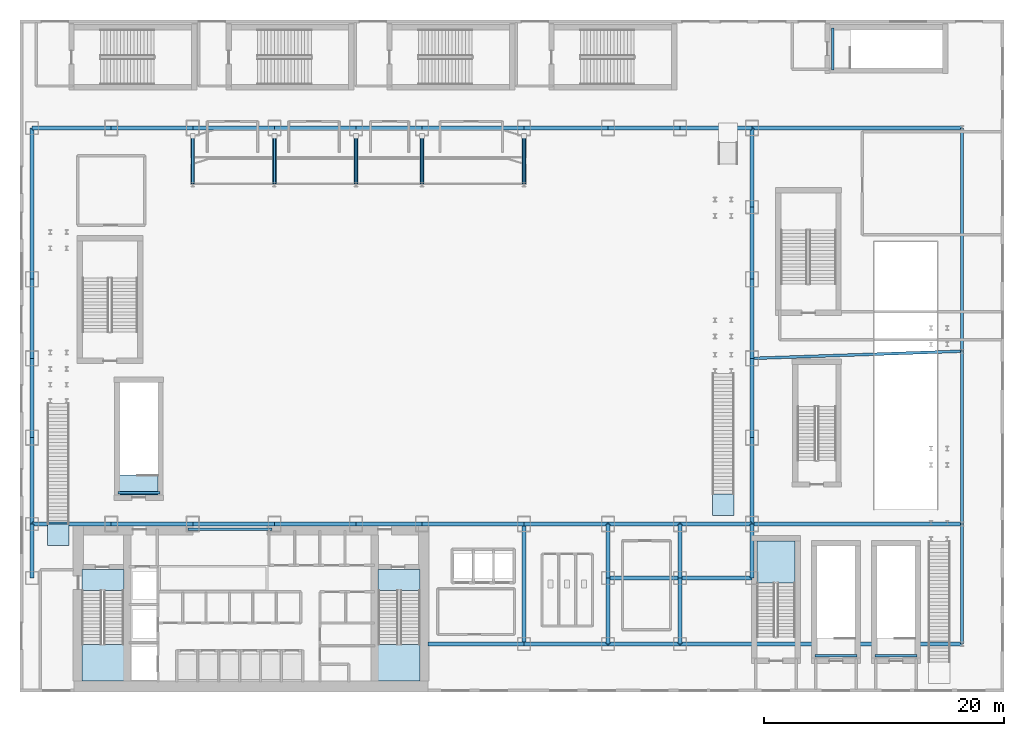
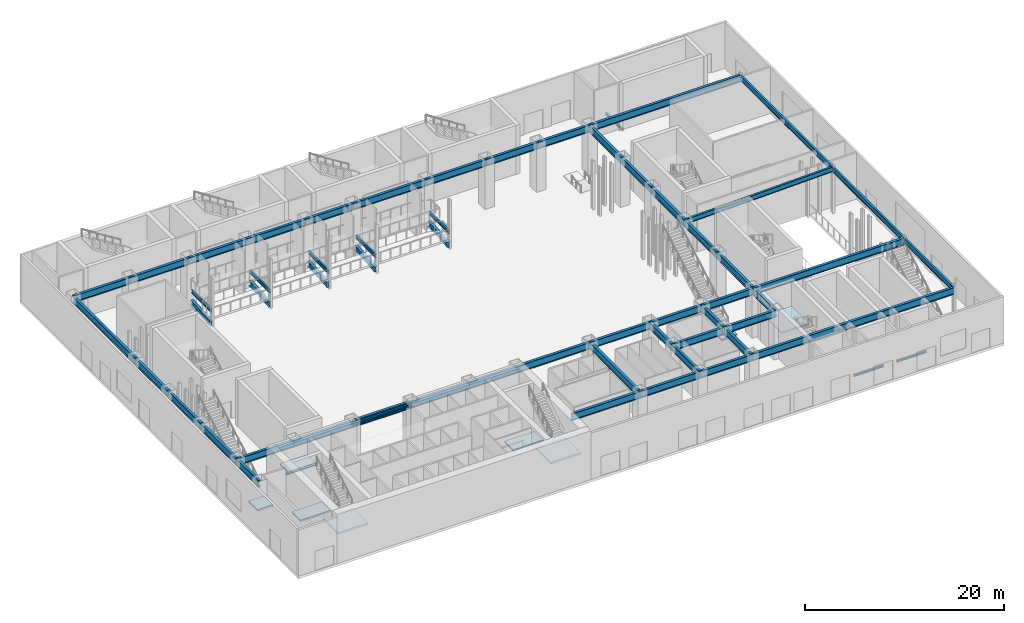
# One storey, part 7 of 25: 61 beams, 8 slabs, 5 elements without a shape of their own.
"""IFC4 building model written with IfcOpenShell, lengths in metres."""

from ifc_helpers import new_model, si_unit, derived_unit, direction, frame, origin, origin_2d, place, context, subcontext, project, spatial, polyline, i_section, outline, extrude, source, transform, mapped, material, layer, layer_set, material_profile, profile_set, type_object, element, aggregate, save


model = new_model("IFC4")

# Units and contexts
model_context = context("Model", 3, precision=1e-05, world=origin(), true_north=direction((0.0, 1.0)))
body_context = subcontext(model_context, "Body", "Model", "MODEL_VIEW")
ifc_project = project(units=[si_unit("LENGTHUNIT", "METRE"), si_unit("AREAUNIT", "SQUARE_METRE"), si_unit("VOLUMEUNIT", "CUBIC_METRE"), si_unit("PLANEANGLEUNIT", "RADIAN"), si_unit("MASSUNIT", "GRAM", prefix="KILO"), derived_unit("THERMALTRANSMITTANCEUNIT", [(si_unit("POWERUNIT", "WATT"), 1), (si_unit("LENGTHUNIT", "METRE"), -2), (si_unit("THERMODYNAMICTEMPERATUREUNIT", "KELVIN"), -1)])], contexts=[model_context])

# Site, building, storey
site_placement = place(None, origin())
site = spatial("IfcSite", under=ifc_project, at=site_placement, CompositionType="ELEMENT")
building_placement = place(site_placement, origin())
building = spatial("IfcBuilding", under=site, at=building_placement, Name="Skarnbrae Concourse Arena and Tower", CompositionType="ELEMENT")
storey_placement = place(building_placement, origin())
storey = spatial("IfcBuildingStorey", under=building, at=storey_placement, Name="L00", CompositionType="ELEMENT", Elevation=0.0)

# Beams
ifc_material_1 = material(Name="Steel CSA G40.21 350W", Category="steel")
ifc_material_profile_1 = material_profile(ifc_material_1, i_section(OverallWidth=0.202880859375, OverallDepth=0.251953125, WebThickness=0.008056640625, FlangeThickness=0.013427734375, at=origin_2d()), Name="W250X58")
ifc_profile_set_1 = profile_set([ifc_material_profile_1], Name="Steel CSA G40.21 350W")
beam_type_1 = type_object("IfcBeamType", Name="BM-LINTEL-W250X58", PredefinedType="LINTEL", material=ifc_profile_set_1)
shared_shape_1 = source(origin(), body_context, "Body", "SweptSolid", [
    extrude(i_section(OverallWidth=0.202880859375, OverallDepth=0.251953125, WebThickness=0.008056640625, FlangeThickness=0.013427734375, at=origin_2d()), origin(), (0.0, 0.0, 1.0), 7.0),
])
beam_1_placement = place(storey_placement, frame((14.0, 13.550048828125, 5.573974609375), z_axis=(1.0, 0.0, 0.0), x_axis=(0.0, 1.0, 0.0)))
element("IfcBeam", 1, at=beam_1_placement, inside=storey, type_object=beam_type_1, Name="L00 Core portal coupling lintel", PredefinedType="LINTEL", context=body_context, shape_type="MappedRepresentation", body=[
    mapped(shared_shape_1, transform((0.0, 0.0, 0.0))),
])
ifc_material_profile_2 = material_profile(ifc_material_1, i_section(OverallWidth=0.2939453125, OverallDepth=0.85107421875, WebThickness=0.01611328125, FlangeThickness=0.02685546875, at=origin_2d()), Name="W840X226")
ifc_profile_set_2 = profile_set([ifc_material_profile_2], Name="Steel CSA G40.21 350W")
beam_type_2 = type_object("IfcBeamType", Name="BM-GIRD-W840X226", PredefinedType="BEAM", material=ifc_profile_set_2)
shared_shape_2 = source(origin(), body_context, "Body", "SweptSolid", [
    extrude(i_section(OverallWidth=0.2939453125, OverallDepth=0.85107421875, WebThickness=0.01611328125, FlangeThickness=0.02685546875, at=origin_2d()), origin(), (0.0, 0.0, 1.0), 6.60009765625),
])
for number, where, z_axis, x_axis, name in (
    (2, (1.0, 47.0, 5.2744140625), (1.0, 0.0, 0.0), (0.0, 1.0, 0.0), "L00 Podium north girder 1"),
    (3, (1.0, 14.0, 5.2744140625), (1.0, 0.0, 0.0), (0.0, 1.0, 0.0), "L00 Podium south spine girder 1"),
    (4, (1.0, 21.199951171875, 5.2744140625), (0.0, 1.0, 0.0), (-1.0, 0.0, 0.0), "L00 Podium west girder 3"),
    (5, (61.0, 21.199951171875, 5.2744140625), (0.0, 1.0, 0.0), (-1.0, 0.0, 0.0), "L00 Podium east girder 3"),
    (6, (61.0, 40.39990234375, 5.2744140625), (0.0, 1.0, 0.0), (-1.0, 0.0, 0.0), "L00 Podium east girder 6"),
):
    element("IfcBeam", number, at=place(storey_placement, frame(where, z_axis=z_axis, x_axis=x_axis)), inside=storey, type_object=beam_type_2, Name=name, PredefinedType="BEAM", context=body_context, shape_type="MappedRepresentation", body=[
        mapped(shared_shape_2, transform((0.0, 0.0, 0.0))),
    ])
shared_shape_3 = source(origin(), body_context, "Body", "SweptSolid", [
    extrude(i_section(OverallWidth=0.2939453125, OverallDepth=0.85107421875, WebThickness=0.01611328125, FlangeThickness=0.02685546875, at=origin_2d()), origin(), (0.0, 0.0, 1.0), 6.7998046875),
])
for number, where, z_axis, x_axis, name in (
    (7, (7.60009765625, 47.0, 5.2744140625), (1.0, 0.0, 0.0), (0.0, 1.0, 0.0), "L00 Podium north girder 2"),
    (8, (7.60009765625, 14.0, 5.2744140625), (1.0, 0.0, 0.0), (0.0, 1.0, 0.0), "L00 Podium south spine girder 2"),
):
    element("IfcBeam", number, at=place(storey_placement, frame(where, z_axis=z_axis, x_axis=x_axis)), inside=storey, type_object=beam_type_2, Name=name, PredefinedType="BEAM", context=body_context, shape_type="MappedRepresentation", body=[
        mapped(shared_shape_3, transform((0.0, 0.0, 0.0))),
    ])
shared_shape_4 = source(origin(), body_context, "Body", "SweptSolid", [
    extrude(i_section(OverallWidth=0.2939453125, OverallDepth=0.85107421875, WebThickness=0.01611328125, FlangeThickness=0.02685546875, at=origin_2d()), origin(), (0.0, 0.0, 1.0), 6.800048828125),
])
for number, where, z_axis, x_axis, name in (
    (9, (14.39990234375, 47.0, 5.2744140625), (1.0, 0.0, 0.0), (0.0, 1.0, 0.0), "L00 Podium north girder 3"),
    (10, (21.199951171875, 47.0, 5.2744140625), (1.0, 0.0, 0.0), (0.0, 1.0, 0.0), "L00 Podium north girder 4"),
    (11, (14.39990234375, 14.0, 5.2744140625), (1.0, 0.0, 0.0), (0.0, 1.0, 0.0), "L00 Podium south spine girder 3"),
    (12, (21.199951171875, 14.0, 5.2744140625), (1.0, 0.0, 0.0), (0.0, 1.0, 0.0), "L00 Podium south spine girder 4"),
):
    element("IfcBeam", number, at=place(storey_placement, frame(where, z_axis=z_axis, x_axis=x_axis)), inside=storey, type_object=beam_type_2, Name=name, PredefinedType="BEAM", context=body_context, shape_type="MappedRepresentation", body=[
        mapped(shared_shape_4, transform((0.0, 0.0, 0.0))),
    ])
shared_shape_5 = source(origin(), body_context, "Body", "SweptSolid", [
    extrude(i_section(OverallWidth=0.2939453125, OverallDepth=0.85107421875, WebThickness=0.01611328125, FlangeThickness=0.02685546875, at=origin_2d()), origin(), (0.0, 0.0, 1.0), 5.5),
])
for number, where, z_axis, x_axis, name in (
    (13, (28.0, 47.0, 5.2744140625), (1.0, 0.0, 0.0), (0.0, 1.0, 0.0), "L00 Podium north girder 5"),
    (14, (28.0, 14.0, 5.2744140625), (1.0, 0.0, 0.0), (0.0, 1.0, 0.0), "L00 Podium south spine girder 5"),
    (15, (49.0, 4.0, 5.2744140625), (0.0, 1.0, 0.0), (-1.0, 0.0, 0.0), "L00 SE south tie 49"),
    (16, (55.0, 4.0, 5.2744140625), (0.0, 1.0, 0.0), (-1.0, 0.0, 0.0), "L00 SE south tie 55"),
):
    element("IfcBeam", number, at=place(storey_placement, frame(where, z_axis=z_axis, x_axis=x_axis)), inside=storey, type_object=beam_type_2, Name=name, PredefinedType="BEAM", context=body_context, shape_type="MappedRepresentation", body=[
        mapped(shared_shape_5, transform((0.0, 0.0, 0.0))),
    ])
shared_shape_6 = source(origin(), body_context, "Body", "SweptSolid", [
    extrude(i_section(OverallWidth=0.2939453125, OverallDepth=0.85107421875, WebThickness=0.01611328125, FlangeThickness=0.02685546875, at=origin_2d()), origin(), (0.0, 0.0, 1.0), 8.5),
])
for number, where, z_axis, x_axis, name in (
    (17, (33.5, 47.0, 5.2744140625), (1.0, 0.0, 0.0), (0.0, 1.0, 0.0), "L00 Podium north girder 6"),
    (18, (33.5, 14.0, 5.2744140625), (1.0, 0.0, 0.0), (0.0, 1.0, 0.0), "L00 Podium south spine girder 6"),
):
    element("IfcBeam", number, at=place(storey_placement, frame(where, z_axis=z_axis, x_axis=x_axis)), inside=storey, type_object=beam_type_2, Name=name, PredefinedType="BEAM", context=body_context, shape_type="MappedRepresentation", body=[
        mapped(shared_shape_6, transform((0.0, 0.0, 0.0))),
    ])
shared_shape_7 = source(origin(), body_context, "Body", "SweptSolid", [
    extrude(i_section(OverallWidth=0.2939453125, OverallDepth=0.85107421875, WebThickness=0.01611328125, FlangeThickness=0.02685546875, at=origin_2d()), origin(), (0.0, 0.0, 1.0), 7.0),
])
for number, where, z_axis, x_axis, name in (
    (19, (42.0, 47.0, 5.2744140625), (1.0, 0.0, 0.0), (0.0, 1.0, 0.0), "L00 Podium north girder 7"),
    (20, (42.0, 14.0, 5.2744140625), (1.0, 0.0, 0.0), (0.0, 1.0, 0.0), "L00 Podium south spine girder 7"),
    (21, (42.0, 4.0, 5.2744140625), (1.0, 0.0, 0.0), (0.0, 1.0, 0.0), "L00 South-east girder 2"),
):
    element("IfcBeam", number, at=place(storey_placement, frame(where, z_axis=z_axis, x_axis=x_axis)), inside=storey, type_object=beam_type_2, Name=name, PredefinedType="BEAM", context=body_context, shape_type="MappedRepresentation", body=[
        mapped(shared_shape_7, transform((0.0, 0.0, 0.0))),
    ])
shared_shape_8 = source(origin(), body_context, "Body", "SweptSolid", [
    extrude(i_section(OverallWidth=0.2939453125, OverallDepth=0.85107421875, WebThickness=0.01611328125, FlangeThickness=0.02685546875, at=origin_2d()), origin(), (0.0, 0.0, 1.0), 6.0),
])
for number, where, z_axis, x_axis, name in (
    (22, (49.0, 47.0, 5.2744140625), (1.0, 0.0, 0.0), (0.0, 1.0, 0.0), "L00 Podium north girder 8"),
    (23, (55.0, 47.0, 5.2744140625), (1.0, 0.0, 0.0), (0.0, 1.0, 0.0), "L00 Podium north girder 9"),
    (24, (49.0, 14.0, 5.2744140625), (1.0, 0.0, 0.0), (0.0, 1.0, 0.0), "L00 Podium south spine girder 8"),
    (25, (55.0, 14.0, 5.2744140625), (1.0, 0.0, 0.0), (0.0, 1.0, 0.0), "L00 Podium south spine girder 9"),
    (26, (61.0, 34.39990234375, 5.2744140625), (0.0, 1.0, 0.0), (-1.0, 0.0, 0.0), "L00 Podium east girder 5"),
    (27, (49.0, 9.5, 5.2744140625), (1.0, 0.0, 0.0), (0.0, 1.0, 0.0), "L00 SE elbow girder 1"),
    (28, (55.0, 9.5, 5.2744140625), (1.0, 0.0, 0.0), (0.0, 1.0, 0.0), "L00 SE elbow girder 2"),
    (29, (49.0, 4.0, 5.2744140625), (1.0, 0.0, 0.0), (0.0, 1.0, 0.0), "L00 South-east girder 3"),
):
    element("IfcBeam", number, at=place(storey_placement, frame(where, z_axis=z_axis, x_axis=x_axis)), inside=storey, type_object=beam_type_2, Name=name, PredefinedType="BEAM", context=body_context, shape_type="MappedRepresentation", body=[
        mapped(shared_shape_8, transform((0.0, 0.0, 0.0))),
    ])
shared_shape_9 = source(origin(), body_context, "Body", "SweptSolid", [
    extrude(i_section(OverallWidth=0.2939453125, OverallDepth=0.85107421875, WebThickness=0.01611328125, FlangeThickness=0.02685546875, at=origin_2d()), origin(), (0.0, 0.0, 1.0), 17.5),
])
for number, where, z_axis, x_axis, name in (
    (30, (61.0, 47.0, 5.2744140625), (1.0, 0.0, 0.0), (0.0, 1.0, 0.0), "L00 Podium north girder 10"),
    (31, (61.0, 14.0, 5.2744140625), (1.0, 0.0, 0.0), (0.0, 1.0, 0.0), "L00 Podium south spine girder 10"),
):
    element("IfcBeam", number, at=place(storey_placement, frame(where, z_axis=z_axis, x_axis=x_axis)), inside=storey, type_object=beam_type_2, Name=name, PredefinedType="BEAM", context=body_context, shape_type="MappedRepresentation", body=[
        mapped(shared_shape_9, transform((0.0, 0.0, 0.0))),
    ])
shared_shape_10 = source(origin(), body_context, "Body", "SweptSolid", [
    extrude(i_section(OverallWidth=0.2939453125, OverallDepth=0.85107421875, WebThickness=0.01611328125, FlangeThickness=0.02685546875, at=origin_2d()), origin(), (0.0, 0.0, 1.0), 4.5),
])
for number, where, z_axis, x_axis, name in (
    (32, (1.0, 9.5, 5.2744140625), (0.0, 1.0, 0.0), (-1.0, 0.0, 0.0), "L00 Podium west girder 1"),
    (33, (61.0, 9.5, 5.2744140625), (0.0, 1.0, 0.0), (-1.0, 0.0, 0.0), "L00 Podium east girder 1"),
    (34, (49.0, 9.5, 5.2744140625), (0.0, 1.0, 0.0), (-1.0, 0.0, 0.0), "L00 SE north tie 49"),
    (35, (55.0, 9.5, 5.2744140625), (0.0, 1.0, 0.0), (-1.0, 0.0, 0.0), "L00 SE north tie 55"),
):
    element("IfcBeam", number, at=place(storey_placement, frame(where, z_axis=z_axis, x_axis=x_axis)), inside=storey, type_object=beam_type_2, Name=name, PredefinedType="BEAM", context=body_context, shape_type="MappedRepresentation", body=[
        mapped(shared_shape_10, transform((0.0, 0.0, 0.0))),
    ])
shared_shape_11 = source(origin(), body_context, "Body", "SweptSolid", [
    extrude(i_section(OverallWidth=0.2939453125, OverallDepth=0.85107421875, WebThickness=0.01611328125, FlangeThickness=0.02685546875, at=origin_2d()), origin(), (0.0, 0.0, 1.0), 7.199951171875),
])
for number, where, z_axis, x_axis, name in (
    (36, (1.0, 14.0, 5.2744140625), (0.0, 1.0, 0.0), (-1.0, 0.0, 0.0), "L00 Podium west girder 2"),
    (37, (61.0, 14.0, 5.2744140625), (0.0, 1.0, 0.0), (-1.0, 0.0, 0.0), "L00 Podium east girder 2"),
):
    element("IfcBeam", number, at=place(storey_placement, frame(where, z_axis=z_axis, x_axis=x_axis)), inside=storey, type_object=beam_type_2, Name=name, PredefinedType="BEAM", context=body_context, shape_type="MappedRepresentation", body=[
        mapped(shared_shape_11, transform((0.0, 0.0, 0.0))),
    ])
shared_shape_12 = source(origin(), body_context, "Body", "SweptSolid", [
    extrude(i_section(OverallWidth=0.2939453125, OverallDepth=0.85107421875, WebThickness=0.01611328125, FlangeThickness=0.02685546875, at=origin_2d()), origin(), (0.0, 0.0, 1.0), 6.599853515625),
])
for number, where, z_axis, x_axis, name in (
    (38, (1.0, 27.800048828125, 5.2744140625), (0.0, 1.0, 0.0), (-1.0, 0.0, 0.0), "L00 Podium west girder 4"),
    (39, (61.0, 27.800048828125, 5.2744140625), (0.0, 1.0, 0.0), (-1.0, 0.0, 0.0), "L00 Podium east girder 4"),
):
    element("IfcBeam", number, at=place(storey_placement, frame(where, z_axis=z_axis, x_axis=x_axis)), inside=storey, type_object=beam_type_2, Name=name, PredefinedType="BEAM", context=body_context, shape_type="MappedRepresentation", body=[
        mapped(shared_shape_12, transform((0.0, 0.0, 0.0))),
    ])
shared_shape_13 = source(origin(), body_context, "Body", "SweptSolid", [
    extrude(i_section(OverallWidth=0.2939453125, OverallDepth=0.85107421875, WebThickness=0.01611328125, FlangeThickness=0.02685546875, at=origin_2d()), origin(), (0.0, 0.0, 1.0), 12.60009765625),
])
beam_2_placement = place(storey_placement, frame((1.0, 34.39990234375, 5.2744140625), z_axis=(0.0, 1.0, 0.0), x_axis=(-1.0, 0.0, 0.0)))
element("IfcBeam", 40, at=beam_2_placement, inside=storey, type_object=beam_type_2, Name="L00 Podium west girder 5", PredefinedType="BEAM", context=body_context, shape_type="MappedRepresentation", body=[
    mapped(shared_shape_13, transform((0.0, 0.0, 0.0))),
])
ifc_material_profile_3 = material_profile(ifc_material_1, i_section(OverallWidth=0.22802734375, OverallDepth=0.60791015625, WebThickness=0.01123046875, FlangeThickness=0.017333984375, at=origin_2d()), Name="W610X113")
ifc_profile_set_3 = profile_set([ifc_material_profile_3], Name="Steel CSA G40.21 350W")
beam_type_3 = type_object("IfcBeamType", Name="BM-GIRD-W610X113", PredefinedType="BEAM", material=ifc_profile_set_3)
shared_shape_14 = source(origin(), body_context, "Body", "SweptSolid", [
    extrude(i_section(OverallWidth=0.22802734375, OverallDepth=0.60791015625, WebThickness=0.01123046875, FlangeThickness=0.017333984375, at=origin_2d()), origin(), (0.0, 0.0, 1.0), 10.0),
])
beam_3_placement = place(storey_placement, frame((78.5, 4.0, 5.39599609375), z_axis=(0.0, 1.0, 0.0), x_axis=(-1.0, 0.0, 0.0)))
element("IfcBeam", 41, at=beam_3_placement, inside=storey, type_object=beam_type_3, Name="L00 Podium outer east girder 1", PredefinedType="BEAM", context=body_context, shape_type="MappedRepresentation", body=[
    mapped(shared_shape_14, transform((0.0, 0.0, 0.0))),
])
shared_shape_15 = source(origin(), body_context, "Body", "SweptSolid", [
    extrude(i_section(OverallWidth=0.22802734375, OverallDepth=0.60791015625, WebThickness=0.01123046875, FlangeThickness=0.017333984375, at=origin_2d()), origin(), (0.0, 0.0, 1.0), 14.39990234375),
])
beam_4_placement = place(storey_placement, frame((78.5, 14.0, 5.39599609375), z_axis=(0.0, 1.0, 0.0), x_axis=(-1.0, 0.0, 0.0)))
element("IfcBeam", 42, at=beam_4_placement, inside=storey, type_object=beam_type_3, Name="L00 Podium outer east girder 2", PredefinedType="BEAM", context=body_context, shape_type="MappedRepresentation", body=[
    mapped(shared_shape_15, transform((0.0, 0.0, 0.0))),
])
shared_shape_16 = source(origin(), body_context, "Body", "SweptSolid", [
    extrude(i_section(OverallWidth=0.22802734375, OverallDepth=0.60791015625, WebThickness=0.01123046875, FlangeThickness=0.017333984375, at=origin_2d()), origin(), (0.0, 0.0, 1.0), 18.60009765625),
])
beam_5_placement = place(storey_placement, frame((78.5, 28.39990234375, 5.39599609375), z_axis=(0.0, 1.0, 0.0), x_axis=(-1.0, 0.0, 0.0)))
element("IfcBeam", 43, at=beam_5_placement, inside=storey, type_object=beam_type_3, Name="L00 Podium outer east girder 3", PredefinedType="BEAM", context=body_context, shape_type="MappedRepresentation", body=[
    mapped(shared_shape_16, transform((0.0, 0.0, 0.0))),
])
shared_shape_17 = source(origin(), body_context, "Body", "SweptSolid", [
    extrude(i_section(OverallWidth=0.22802734375, OverallDepth=0.60791015625, WebThickness=0.01123046875, FlangeThickness=0.017333984375, at=origin_2d()), origin(), (0.0, 0.0, 1.0), 17.51025390625),
])
beam_6_placement = place(storey_placement, frame((61.0, 27.800048828125, 5.39599609375), z_axis=(0.999413049025, 0.03425722463, 0.0), x_axis=(-0.03425722463, 0.999413049025, 0.0)))
element("IfcBeam", 44, at=beam_6_placement, inside=storey, type_object=beam_type_3, Name="L00 East concourse tie girder", PredefinedType="BEAM", context=body_context, shape_type="MappedRepresentation", body=[
    mapped(shared_shape_17, transform((0.0, 0.0, 0.0))),
])
shared_shape_18 = source(origin(), body_context, "Body", "SweptSolid", [
    extrude(i_section(OverallWidth=0.2939453125, OverallDepth=0.85107421875, WebThickness=0.01611328125, FlangeThickness=0.02685546875, at=origin_2d()), origin(), (0.0, 0.0, 1.0), 8.0),
])
beam_7_placement = place(storey_placement, frame((34.0, 4.0, 5.2744140625), z_axis=(1.0, 0.0, 0.0), x_axis=(0.0, 1.0, 0.0)))
element("IfcBeam", 45, at=beam_7_placement, inside=storey, type_object=beam_type_2, Name="L00 South-east girder 1", PredefinedType="BEAM", context=body_context, shape_type="MappedRepresentation", body=[
    mapped(shared_shape_18, transform((0.0, 0.0, 0.0))),
])
shared_shape_19 = source(origin(), body_context, "Body", "SweptSolid", [
    extrude(i_section(OverallWidth=0.2939453125, OverallDepth=0.85107421875, WebThickness=0.01611328125, FlangeThickness=0.02685546875, at=origin_2d()), origin(), (0.0, 0.0, 1.0), 23.5),
])
beam_8_placement = place(storey_placement, frame((55.0, 4.0, 5.2744140625), z_axis=(1.0, 0.0, 0.0), x_axis=(0.0, 1.0, 0.0)))
element("IfcBeam", 46, at=beam_8_placement, inside=storey, type_object=beam_type_2, Name="L00 South-east girder 4", PredefinedType="BEAM", context=body_context, shape_type="MappedRepresentation", body=[
    mapped(shared_shape_19, transform((0.0, 0.0, 0.0))),
])
shared_shape_20 = source(origin(), body_context, "Body", "SweptSolid", [
    extrude(i_section(OverallWidth=0.2939453125, OverallDepth=0.85107421875, WebThickness=0.01611328125, FlangeThickness=0.02685546875, at=origin_2d()), origin(), (0.0, 0.0, 1.0), 10.0),
])
beam_9_placement = place(storey_placement, frame((42.0, 4.0, 5.2744140625), z_axis=(0.0, 1.0, 0.0), x_axis=(-1.0, 0.0, 0.0)))
element("IfcBeam", 47, at=beam_9_placement, inside=storey, type_object=beam_type_2, Name="L00 SE cross tie 42", PredefinedType="BEAM", context=body_context, shape_type="MappedRepresentation", body=[
    mapped(shared_shape_20, transform((0.0, 0.0, 0.0))),
])
ifc_material_profile_4 = material_profile(ifc_material_1, i_section(OverallWidth=0.180908203125, OverallDepth=0.4169921875, WebThickness=0.010986328125, FlangeThickness=0.018310546875, at=origin_2d()), Name="W410X85")
ifc_profile_set_4 = profile_set([ifc_material_profile_4], Name="Steel CSA G40.21 350W")
beam_type_4 = type_object("IfcBeamType", Name="BM-JOIST-W410X85", PredefinedType="JOIST", material=ifc_profile_set_4)
shared_shape_21 = source(origin(), body_context, "Body", "SweptSolid", [
    extrude(i_section(OverallWidth=0.180908203125, OverallDepth=0.4169921875, WebThickness=0.010986328125, FlangeThickness=0.018310546875, at=origin_2d()), origin(), (0.0, 0.0, 1.0), 4.0),
])
for number, where, z_axis, x_axis, name in (
    (48, (14.39990234375, 42.360107421875, 1.94140625), (0.0, 1.0, 0.0), (-1.0, 0.0, 0.0), "L00 Arena upper seating tier cradle beam N01"),
    (49, (21.199951171875, 42.360107421875, 1.94140625), (0.0, 1.0, 0.0), (-1.0, 0.0, 0.0), "L00 Arena upper seating tier cradle beam N02"),
    (50, (28.0, 42.360107421875, 1.94140625), (0.0, 1.0, 0.0), (-1.0, 0.0, 0.0), "L00 Arena upper seating tier cradle beam N03"),
    (51, (33.5, 42.360107421875, 1.94140625), (0.0, 1.0, 0.0), (-1.0, 0.0, 0.0), "L00 Arena upper seating tier cradle beam N04"),
    (52, (42.0, 42.360107421875, 1.94140625), (0.0, 1.0, 0.0), (-1.0, 0.0, 0.0), "L00 Arena upper seating tier cradle beam N05"),
):
    element("IfcBeam", number, at=place(storey_placement, frame(where, z_axis=z_axis, x_axis=x_axis)), inside=storey, type_object=beam_type_4, Name=name, PredefinedType="JOIST", context=body_context, shape_type="MappedRepresentation", body=[
        mapped(shared_shape_21, transform((0.0, 0.0, 0.0))),
    ])
ifc_material_profile_5 = material_profile(ifc_material_1, i_section(OverallWidth=0.323974609375, OverallDepth=0.611083984375, WebThickness=0.0126953125, FlangeThickness=0.01904296875, at=origin_2d()), Name="W610X155")
ifc_profile_set_5 = profile_set([ifc_material_profile_5], Name="Steel CSA G40.21 350W")
beam_type_5 = type_object("IfcBeamType", Name="BM-RAKER-W610X155", PredefinedType="USERDEFINED", material=ifc_profile_set_5)
shared_shape_22 = source(origin(), body_context, "Body", "SweptSolid", [
    extrude(i_section(OverallWidth=0.323974609375, OverallDepth=0.611083984375, WebThickness=0.0126953125, FlangeThickness=0.01904296875, at=origin_2d()), origin(), (0.0, 0.0, 1.0), 4.008544921875),
])
for number, where, z_axis, x_axis, name in (
    (53, (14.39990234375, 42.360107421875, 0.320068359375), (0.0, 0.997894012809, 0.064865547097), (-1.0, 0.0, 0.0), "L00 Arena bowl sloped raker beam RB-N01"),
    (54, (21.199951171875, 42.360107421875, 0.320068359375), (0.0, 0.997894012809, 0.064865547097), (-1.0, 0.0, 0.0), "L00 Arena bowl sloped raker beam RB-N02"),
    (55, (28.0, 42.360107421875, 0.320068359375), (0.0, 0.997894012809, 0.064865547097), (-1.0, 0.0, 0.0), "L00 Arena bowl sloped raker beam RB-N03"),
    (56, (33.5, 42.360107421875, 0.320068359375), (0.0, 0.997894012809, 0.064865547097), (-1.0, 0.0, 0.0), "L00 Arena bowl sloped raker beam RB-N04"),
    (57, (42.0, 42.360107421875, 0.320068359375), (0.0, 0.997894012809, 0.064865547097), (-1.0, 0.0, 0.0), "L00 Arena bowl sloped raker beam RB-N05"),
):
    element("IfcBeam", number, at=place(storey_placement, frame(where, z_axis=z_axis, x_axis=x_axis)), inside=storey, type_object=beam_type_5, Name=name, ObjectType="RAKER", PredefinedType="USERDEFINED", context=body_context, shape_type="MappedRepresentation", body=[
        mapped(shared_shape_22, transform((0.0, 0.0, 0.0))),
    ])
shared_shape_23 = source(origin(), body_context, "Body", "SweptSolid", [
    extrude(i_section(OverallWidth=0.202880859375, OverallDepth=0.251953125, WebThickness=0.008056640625, FlangeThickness=0.013427734375, at=origin_2d()), origin(), (0.0, 0.0, 1.0), 3.5),
])
for number, where, z_axis, x_axis, name in (
    (58, (69.75, 3.02001953125, -0.325927734375), (-1.0, 0.0, 0.0), (0.0, -1.0, 0.0), "L00 Stair ST-B1 near landing soffit beam"),
    (59, (74.75, 3.02001953125, -0.325927734375), (-1.0, 0.0, 0.0), (0.0, -1.0, 0.0), "L00 Stair ST-B2 near landing soffit beam"),
    (60, (11.64990234375, 16.6201171875, -0.325927734375), (-1.0, 0.0, 0.0), (0.0, -1.0, 0.0), "L00 Stair ST-B3 near landing soffit beam"),
    (61, (67.719970703125, 51.85009765625, -0.325927734375), (0.0, 1.0, 0.0), (-1.0, 0.0, 0.0), "L00 Stair ST-B4 near landing soffit beam"),
):
    element("IfcBeam", number, at=place(storey_placement, frame(where, z_axis=z_axis, x_axis=x_axis)), inside=storey, type_object=beam_type_1, Name=name, PredefinedType="LINTEL", context=body_context, shape_type="MappedRepresentation", body=[
        mapped(shared_shape_23, transform((0.0, 0.0, 0.0))),
    ])

# Stair, slab
ifc_material_2 = material(Name="Concrete 40 MPa (C40/50)", Category="concrete")
stair_type_1 = type_object("IfcStairType", Name="STAIR-DOGLEG-1650", PredefinedType="HALF_TURN_STAIR", material=ifc_material_2)
stair_1_placement = place(storey_placement, origin())
stair_1 = element("IfcStair", 62, at=stair_1_placement, inside=storey, type_object=stair_type_1, Name="L00 Protected Exit Stair ST-1", PredefinedType="HALF_TURN_STAIR")
ifc_layer = layer(ifc_material_2, 0.199951171875)
ifc_layer_set = layer_set([ifc_layer], Name="Concrete 40 MPa (C40/50)")
slab_type = type_object("IfcSlabType", Name="SLAB-LANDING-200", PredefinedType="LANDING", material=ifc_layer_set)
slab_1_placement = place(storey_placement, frame((0.0, 0.0, 2.800048828125)))
slab_1 = element("IfcSlab", 63, at=slab_1_placement, type_object=slab_type, Name="ST-1 landing 1", PredefinedType="LANDING", context=body_context, shape_type="SweptSolid", body=[
    extrude(outline(polyline([(5.14990234375, 3.969970703125), (5.14990234375, 0.89990234375), (8.64990234375, 0.89990234375), (8.64990234375, 3.969970703125), (5.14990234375, 3.969970703125)])), origin(), (0.0, 0.0, 1.0), 0.199951171875),
])
aggregate(stair_1, [slab_1])

stair_2_placement = place(storey_placement, origin())
stair_2 = element("IfcStair", 64, at=stair_2_placement, inside=storey, type_object=stair_type_1, Name="L00 Protected Exit Stair ST-2", PredefinedType="HALF_TURN_STAIR")
slab_2_placement = place(storey_placement, frame((0.0, 0.0, 2.800048828125)))
slab_2 = element("IfcSlab", 65, at=slab_2_placement, type_object=slab_type, Name="ST-2 landing 1", PredefinedType="LANDING", context=body_context, shape_type="SweptSolid", body=[
    extrude(outline(polyline([(29.85009765625, 3.969970703125), (29.85009765625, 0.89990234375), (33.35009765625, 0.89990234375), (33.35009765625, 3.969970703125), (29.85009765625, 3.969970703125)])), origin(), (0.0, 0.0, 1.0), 0.199951171875),
])
aggregate(stair_2, [slab_2])

# Slabs
slab_3_placement = place(storey_placement, frame((0.0, 0.0, -0.199951171875)))
element("IfcSlab", 66, at=slab_3_placement, inside=storey, type_object=slab_type, Name="L00 Core stair ST1 floor landing", PredefinedType="LANDING", context=body_context, shape_type="SweptSolid", body=[
    extrude(outline(polyline([(5.14990234375, 10.199951171875), (5.14990234375, 8.449951171875), (8.64990234375, 8.449951171875), (8.64990234375, 10.199951171875), (5.14990234375, 10.199951171875)])), origin(), (0.0, 0.0, 1.0), 0.199951171875),
])
slab_4_placement = place(storey_placement, frame((0.0, 0.0, -0.199951171875)))
element("IfcSlab", 67, at=slab_4_placement, inside=storey, type_object=slab_type, Name="L00 Core stair ST2 floor landing", PredefinedType="LANDING", context=body_context, shape_type="SweptSolid", body=[
    extrude(outline(polyline([(29.85009765625, 10.199951171875), (29.85009765625, 8.449951171875), (33.35009765625, 8.449951171875), (33.35009765625, 10.199951171875), (29.85009765625, 10.199951171875)])), origin(), (0.0, 0.0, 1.0), 0.199951171875),
])

# Stair, slab
stair_type_2 = type_object("IfcStairType", Name="STAIR-DOGLEG-1500", PredefinedType="HALF_TURN_STAIR", material=ifc_material_2)
stair_3_placement = place(storey_placement, origin())
stair_3 = element("IfcStair", 68, at=stair_3_placement, inside=storey, type_object=stair_type_2, Name="L00 Arena Exit Stair ST-A1", PredefinedType="HALF_TURN_STAIR")
slab_5_placement = place(storey_placement, frame((0.0, 0.0, 2.800048828125)))
slab_5 = element("IfcSlab", 69, at=slab_5_placement, type_object=slab_type, Name="ST-A1 landing 1", PredefinedType="LANDING", context=body_context, shape_type="SweptSolid", body=[
    extrude(outline(polyline([(64.60009765625, 9.080078125), (64.60009765625, 12.60009765625), (61.39990234375, 12.60009765625), (61.39990234375, 9.080078125), (64.60009765625, 9.080078125)])), origin(), (0.0, 0.0, 1.0), 0.199951171875),
])
aggregate(stair_3, [slab_5])

# Slab
slab_6_placement = place(storey_placement, frame((0.0, 0.0, -0.199951171875)))
element("IfcSlab", 70, at=slab_6_placement, inside=storey, type_object=slab_type, Name="L00 Stair ST-B3 near floor landing", PredefinedType="LANDING", context=body_context, shape_type="SweptSolid", body=[
    extrude(outline(polyline([(11.5, 16.39990234375), (11.5, 18.10009765625), (8.300048828125, 18.10009765625), (8.300048828125, 16.39990234375), (11.5, 16.39990234375)])), origin(), (0.0, 0.0, 1.0), 0.199951171875),
])

# Stair, slab
stair_type_3 = type_object("IfcStairType", Name="STAIR-STRAIGHT-1800", PredefinedType="STRAIGHT_RUN_STAIR", material=ifc_material_2)
stair_4_placement = place(storey_placement, origin())
stair_4 = element("IfcStair", 71, at=stair_4_placement, inside=storey, type_object=stair_type_3, Name="L00 Transit Concourse Straight Stair ST-CONC-2", PredefinedType="STRAIGHT_RUN_STAIR")
slab_7_placement = place(storey_placement, frame((0.0, 0.0, -0.199951171875)))
slab_7 = element("IfcSlab", 72, at=slab_7_placement, type_object=slab_type, Name="ST-CONC-2 L00 bottom landing", PredefinedType="LANDING", context=body_context, shape_type="SweptSolid", body=[
    extrude(outline(polyline([(2.300048828125, 12.199951171875), (4.10009765625, 12.199951171875), (4.10009765625, 14.0), (2.300048828125, 14.0), (2.300048828125, 12.199951171875)])), origin(), (0.0, 0.0, 1.0), 0.199951171875),
])
aggregate(stair_4, [slab_7])

stair_5_placement = place(storey_placement, origin())
stair_5 = element("IfcStair", 73, at=stair_5_placement, inside=storey, type_object=stair_type_3, Name="L00 Transit Concourse Straight Stair ST-CONC-3", PredefinedType="STRAIGHT_RUN_STAIR")
slab_8_placement = place(storey_placement, frame((0.0, 0.0, -0.199951171875)))
slab_8 = element("IfcSlab", 74, at=slab_8_placement, type_object=slab_type, Name="ST-CONC-3 L00 bottom landing", PredefinedType="LANDING", context=body_context, shape_type="SweptSolid", body=[
    extrude(outline(polyline([(57.699951171875, 14.699951171875), (59.5, 14.699951171875), (59.5, 16.5), (57.699951171875, 16.5), (57.699951171875, 14.699951171875)])), origin(), (0.0, 0.0, 1.0), 0.199951171875),
])
aggregate(stair_5, [slab_8])

save(model, "model.ifc")
